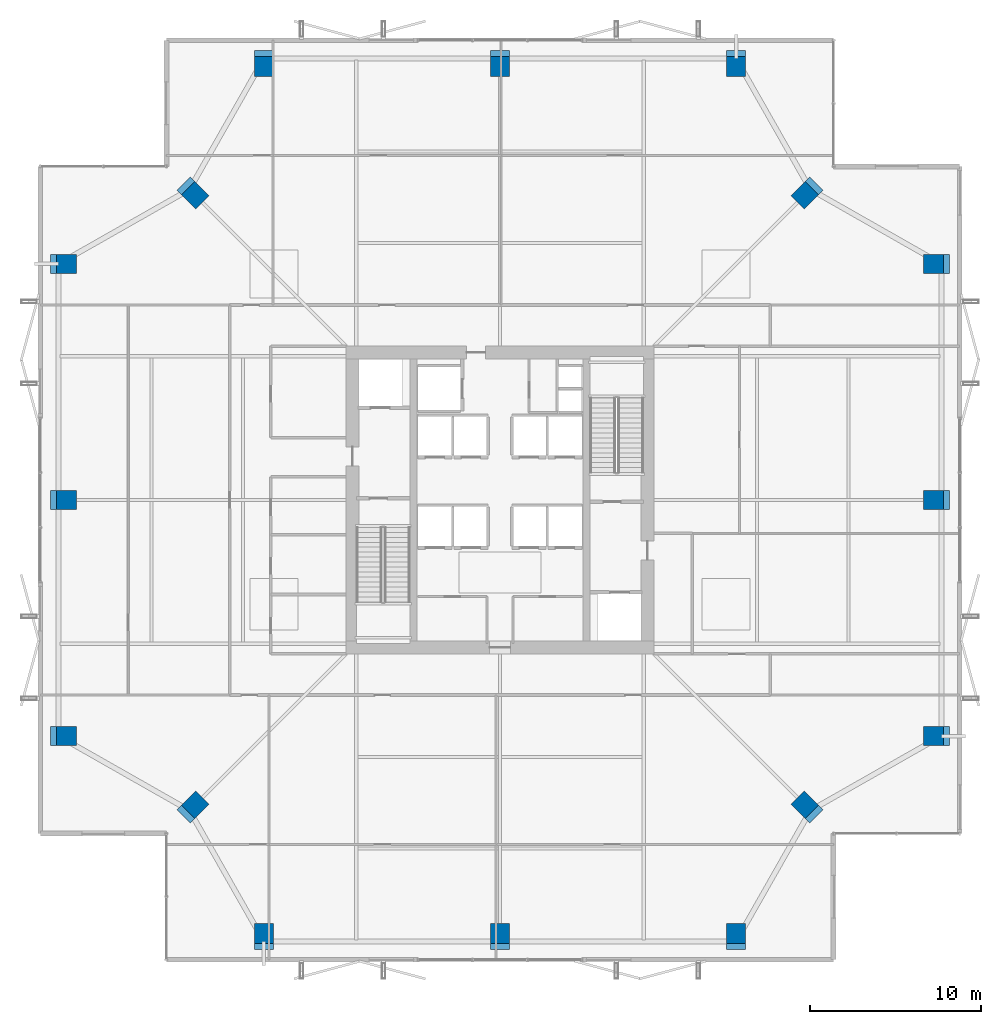
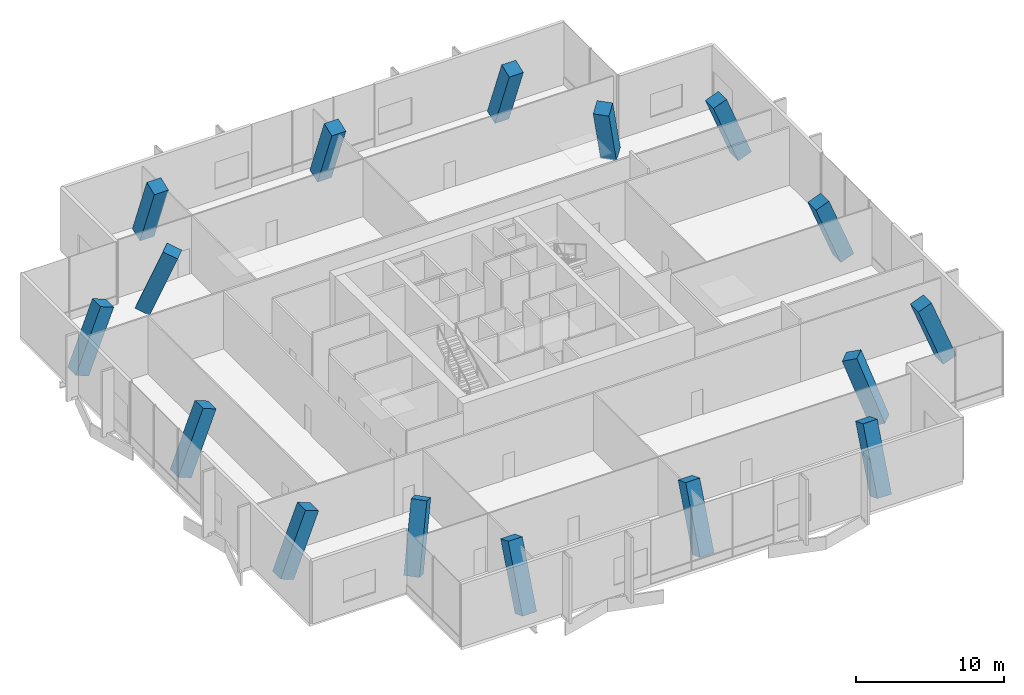
# One storey, part 1 of 33: 16 columns.
"""IFC4 building model written with IfcOpenShell, lengths in metres."""

from ifc_helpers import new_model, si_unit, direction, frame, origin, origin_2d, place, context, subcontext, project, spatial, rectangle, extrude, material, material_profile, profile_set, type_object, element, save


model = new_model("IFC4")

# Units and contexts
model_context = context("Model", 3, precision=1e-05, world=origin(), true_north=direction((0.0, 1.0)))
body_context = subcontext(model_context, "Body", "Model", "MODEL_VIEW")
ifc_project = project(units=[si_unit("LENGTHUNIT", "METRE"), si_unit("AREAUNIT", "SQUARE_METRE"), si_unit("VOLUMEUNIT", "CUBIC_METRE"), si_unit("PLANEANGLEUNIT", "RADIAN"), si_unit("MASSUNIT", "GRAM", prefix="KILO")], contexts=[model_context])

# Site, building, storey
site_placement = place(None, origin())
site = spatial("IfcSite", under=ifc_project, at=site_placement, CompositionType="ELEMENT")
building_placement = place(site_placement, origin())
building = spatial("IfcBuilding", under=site, at=building_placement, Name="Belovzor Exchange Tower", CompositionType="ELEMENT")
storey_placement = place(building_placement, frame((0.0, 0.0, 241.199951171875)))
storey = spatial("IfcBuildingStorey", under=building, at=storey_placement, Name="L60", CompositionType="ELEMENT", Elevation=241.199951171875)

# Columns
ifc_material = material(Name="Concrete C50/60", Category="concrete")
ifc_material_profile = material_profile(ifc_material, rectangle(XDim=1.10009765625, YDim=1.10009765625, at=origin_2d()))
ifc_profile_set = profile_set([ifc_material_profile], Name="Concrete C50/60")
column_type = type_object("IfcColumnType", Name="Reinforced Concrete Tower Column 1100x1100", PredefinedType="COLUMN", material=ifc_profile_set)
for number, where, z_axis, x_axis, name in (
    (1, (15.0, 3.032958984375, 0.083984375), (0.0, 0.362373598567, 0.932032925954), (-1.0, 0.0, 0.0), "COL-T110 Reinforced Concrete Tower Column 1100x1100"),
    (2, (28.800048828125, 3.032958984375, 0.083984375), (0.0, 0.362373598567, 0.932032925954), (-1.0, 0.0, 0.0), "COL-T110 Reinforced Concrete Tower Column 1100x1100"),
    (3, (42.60009765625, 3.032958984375, 0.083984375), (0.0, 0.362373598567, 0.932032925954), (-1.0, 0.0, 0.0), "COL-T110 Reinforced Concrete Tower Column 1100x1100"),
    (4, (54.56689453125, 15.0, 0.083984375), (-0.362373598567, 0.0, 0.932032925954), (0.0, -1.0, 0.0), "COL-T110 Reinforced Concrete Tower Column 1100x1100"),
    (5, (54.56689453125, 28.800048828125, 0.083984375), (-0.362373598567, 0.0, 0.932032925954), (0.0, -1.0, 0.0), "COL-T110 Reinforced Concrete Tower Column 1100x1100"),
    (6, (54.56689453125, 42.60009765625, 0.083984375), (-0.362373598567, 0.0, 0.932032925954), (0.0, -1.0, 0.0), "COL-T110 Reinforced Concrete Tower Column 1100x1100"),
    (7, (42.60009765625, 54.56689453125, 0.083984375), (0.0, -0.362373598567, 0.932032925954), (1.0, 0.0, 0.0), "COL-T110 Reinforced Concrete Tower Column 1100x1100"),
    (8, (28.800048828125, 54.56689453125, 0.083984375), (0.0, -0.362373598567, 0.932032925954), (1.0, 0.0, 0.0), "COL-T110 Reinforced Concrete Tower Column 1100x1100"),
    (9, (15.0, 54.56689453125, 0.083984375), (0.0, -0.362373598567, 0.932032925954), (1.0, 0.0, 0.0), "COL-T110 Reinforced Concrete Tower Column 1100x1100"),
    (10, (3.032958984375, 42.60009765625, 0.083984375), (0.362373598567, 0.0, 0.932032925954), (0.0, 1.0, 0.0), "COL-T110 Reinforced Concrete Tower Column 1100x1100"),
    (11, (3.032958984375, 28.800048828125, 0.083984375), (0.362373598567, 0.0, 0.932032925954), (0.0, 1.0, 0.0), "COL-T110 Reinforced Concrete Tower Column 1100x1100"),
    (12, (3.032958984375, 15.0, 0.083984375), (0.362373598567, 0.0, 0.932032925954), (0.0, 1.0, 0.0), "COL-T110 Reinforced Concrete Tower Column 1100x1100"),
):
    element("IfcColumn", number, at=place(storey_placement, frame(where, z_axis=z_axis, x_axis=x_axis)), inside=storey, type_object=column_type, Name=name, PredefinedType="COLUMN", context=body_context, shape_type="SweptSolid", body=[
        extrude(rectangle(XDim=1.10009765625, YDim=1.10009765625, at=origin_2d()), origin(), (0.0, 0.0, 1.0), 5.350830078125),
    ])
for number, where, z_axis, x_axis, name in (
    (13, (10.674072265625, 10.674072265625, 0.0859375), (0.25851531329, 0.25851531329, 0.93077369193), (-0.707106781187, 0.707106781187, 0.0), "COL-T110 Reinforced Concrete Tower Column 1100x1100"),
    (14, (46.926025390625, 10.674072265625, 0.0859375), (-0.25851531329, 0.25851531329, 0.93077369193), (-0.707106781187, -0.707106781187, 0.0), "COL-T110 Reinforced Concrete Tower Column 1100x1100"),
    (15, (46.926025390625, 46.926025390625, 0.0859375), (-0.25851531329, -0.25851531329, 0.93077369193), (0.707106781187, -0.707106781187, 0.0), "COL-T110 Reinforced Concrete Tower Column 1100x1100"),
    (16, (10.674072265625, 46.926025390625, 0.0859375), (0.25851531329, -0.25851531329, 0.93077369193), (0.707106781187, 0.707106781187, 0.0), "COL-T110 Reinforced Concrete Tower Column 1100x1100"),
):
    element("IfcColumn", number, at=place(storey_placement, frame(where, z_axis=z_axis, x_axis=x_axis)), inside=storey, type_object=column_type, Name=name, PredefinedType="COLUMN", context=body_context, shape_type="SweptSolid", body=[
        extrude(rectangle(XDim=1.10009765625, YDim=1.10009765625, at=origin_2d()), origin(), (0.0, 0.0, 1.0), 5.353759765625),
    ])

save(model, "model.ifc")
